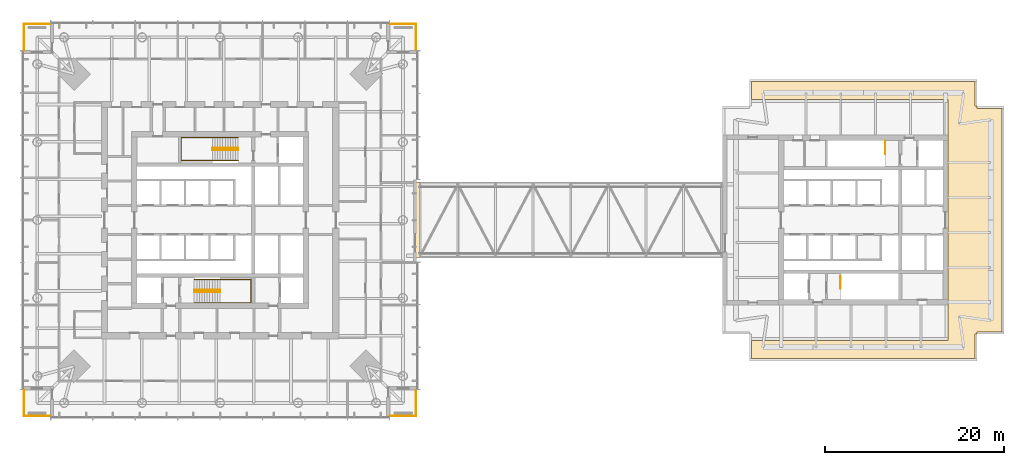
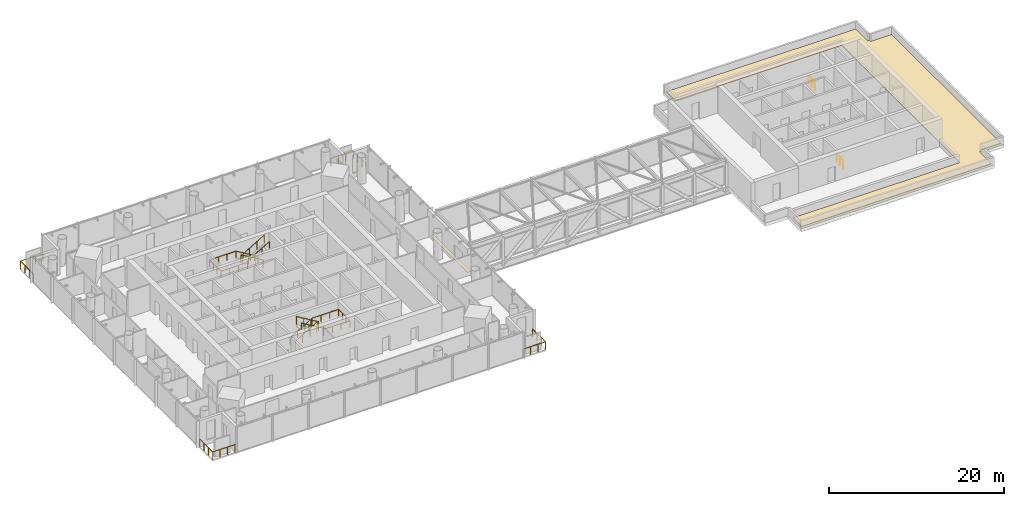
# One storey, part 19 of 19: 10 railings, 2 coverings.
"""IFC4 building model written with IfcOpenShell, lengths in metres."""

from ifc_helpers import new_model, si_unit, direction, frame, origin, origin_2d, place, context, subcontext, project, spatial, polyline, circle, outline, extrude, material, layer, layer_set, type_object, element, save


model = new_model("IFC4")

# Units and contexts
model_context = context("Model", 3, precision=1e-05, world=origin(), true_north=direction((0.0, 1.0)))
body_context = subcontext(model_context, "Body", "Model", "MODEL_VIEW")
ifc_project = project(units=[si_unit("LENGTHUNIT", "METRE"), si_unit("AREAUNIT", "SQUARE_METRE"), si_unit("VOLUMEUNIT", "CUBIC_METRE"), si_unit("PLANEANGLEUNIT", "RADIAN"), si_unit("MASSUNIT", "GRAM", prefix="KILO")], contexts=[model_context])

# Site, building, storey
site_placement = place(None, origin())
site = spatial("IfcSite", under=ifc_project, at=site_placement, CompositionType="ELEMENT")
building_placement = place(site_placement, origin())
building = spatial("IfcBuilding", under=site, at=building_placement, Name="Ostroluk Exchange", CompositionType="ELEMENT")
storey_placement = place(building_placement, frame((0.0, 0.0, 131.199951171875)))
storey = spatial("IfcBuildingStorey", under=building, at=storey_placement, Name="L33", CompositionType="ELEMENT", Elevation=131.199951171875)

# Covering
ifc_material_1 = material(Name="Sedum mat on substrate and drainage layer", Category="vegetation")
ifc_layer_1 = layer(ifc_material_1, 0.10009765625)
ifc_layer_set_1 = layer_set([ifc_layer_1], Name="Extensive green roof build-up 100")
covering_type_1 = type_object("IfcCoveringType", Name="Extensive green roof build-up 100", PredefinedType="ROOFING", material=ifc_layer_set_1)
covering_1_placement = place(storey_placement, origin())
element("IfcCovering", 1, at=covering_1_placement, inside=storey, type_object=covering_type_1, Name="Roof garden green roof 1", PredefinedType="ROOFING", context=body_context, shape_type="SweptSolid", body=[
    extrude(outline(polyline([(126.5, 32.5), (126.5, 59.5), (104.5, 59.5), (104.5, 61.5), (129.5, 61.5), (129.5, 58.75), (129.75, 58.75), (129.75, 58.5), (132.5, 58.5), (132.5, 33.5), (129.75, 33.5), (129.75, 33.25), (129.5, 33.25), (129.5, 30.5), (104.5, 30.5), (104.5, 32.5), (126.5, 32.5)])), origin(), (0.0, 0.0, 1.0), 0.10009765625),
])

# Railings
ifc_material_2 = material(Name="Stainless steel", Category="steel")
railing_type_1 = type_object("IfcRailingType", Name="Guard 1100 stainless steel", PredefinedType="GUARDRAIL", material=ifc_material_2)
railing_1_placement = place(storey_placement, frame((64.0, 24.050048828125, 0.0)))
element("IfcRailing", 2, at=railing_1_placement, inside=storey, type_object=railing_type_1, Name="Office tower SE balcony guard L33", PredefinedType="GUARDRAIL", context=body_context, shape_type="SweptSolid", body=[
    extrude(circle(Radius=0.02392578125, at=origin_2d()), frame((0.0, 0.0, 1.076171875), z_axis=(1.0, 0.0, 0.0), x_axis=(0.0, 1.0, 0.0)), (0.0, 0.0, 1.0), 2.949951171875),
    extrude(circle(Radius=0.02392578125, at=origin_2d()), frame((2.949951171875, 0.0, 1.076171875), z_axis=(0.0, 1.0, 0.0), x_axis=(-1.0, 0.0, 0.0)), (0.0, 0.0, 1.0), 2.949951171875),
    extrude(circle(Radius=0.02099609375, at=origin_2d()), origin(), (0.0, 0.0, 1.0), 1.052001953125),
    extrude(circle(Radius=0.02099609375, at=origin_2d()), frame((0.9833984375, 0.0, 0.0)), (0.0, 0.0, 1.0), 1.052001953125),
    extrude(circle(Radius=0.02099609375, at=origin_2d()), frame((1.966552734375, 0.0, 0.0)), (0.0, 0.0, 1.0), 1.052001953125),
    extrude(circle(Radius=0.02099609375, at=origin_2d()), frame((2.949951171875, 0.0, 0.0)), (0.0, 0.0, 1.0), 1.052001953125),
    extrude(circle(Radius=0.02099609375, at=origin_2d()), frame((2.949951171875, 0.9833984375, 0.0)), (0.0, 0.0, 1.0), 1.052001953125),
    extrude(circle(Radius=0.02099609375, at=origin_2d()), frame((2.949951171875, 1.966552734375, 0.0)), (0.0, 0.0, 1.0), 1.052001953125),
    extrude(circle(Radius=0.02099609375, at=origin_2d()), frame((2.949951171875, 2.949951171875, 0.0)), (0.0, 0.0, 1.0), 1.052001953125),
])
railing_2_placement = place(storey_placement, frame((64.0, 67.949951171875, 0.0)))
element("IfcRailing", 3, at=railing_2_placement, inside=storey, type_object=railing_type_1, Name="Office tower NE balcony guard L33", PredefinedType="GUARDRAIL", context=body_context, shape_type="SweptSolid", body=[
    extrude(circle(Radius=0.02392578125, at=origin_2d()), frame((0.0, 0.0, 1.076171875), z_axis=(1.0, 0.0, 0.0), x_axis=(0.0, 1.0, 0.0)), (0.0, 0.0, 1.0), 2.949951171875),
    extrude(circle(Radius=0.02392578125, at=origin_2d()), frame((2.949951171875, 0.0, 1.076171875), z_axis=(0.0, -1.0, 0.0), x_axis=(1.0, 0.0, 0.0)), (0.0, 0.0, 1.0), 2.949951171875),
    extrude(circle(Radius=0.02099609375, at=origin_2d()), origin(), (0.0, 0.0, 1.0), 1.052001953125),
    extrude(circle(Radius=0.02099609375, at=origin_2d()), frame((0.9833984375, 0.0, 0.0)), (0.0, 0.0, 1.0), 1.052001953125),
    extrude(circle(Radius=0.02099609375, at=origin_2d()), frame((1.966552734375, 0.0, 0.0)), (0.0, 0.0, 1.0), 1.052001953125),
    extrude(circle(Radius=0.02099609375, at=origin_2d()), frame((2.949951171875, 0.0, 0.0)), (0.0, 0.0, 1.0), 1.052001953125),
    extrude(circle(Radius=0.02099609375, at=origin_2d()), frame((2.949951171875, -0.9833984375, 0.0)), (0.0, 0.0, 1.0), 1.052001953125),
    extrude(circle(Radius=0.02099609375, at=origin_2d()), frame((2.949951171875, -1.966552734375, 0.0)), (0.0, 0.0, 1.0), 1.052001953125),
    extrude(circle(Radius=0.02099609375, at=origin_2d()), frame((2.949951171875, -2.949951171875, 0.0)), (0.0, 0.0, 1.0), 1.052001953125),
])
railing_3_placement = place(storey_placement, frame((26.0, 67.949951171875, 0.0)))
element("IfcRailing", 4, at=railing_3_placement, inside=storey, type_object=railing_type_1, Name="Office tower NW balcony guard L33", PredefinedType="GUARDRAIL", context=body_context, shape_type="SweptSolid", body=[
    extrude(circle(Radius=0.02392578125, at=origin_2d()), frame((0.0, 0.0, 1.076171875), z_axis=(-1.0, 0.0, 0.0), x_axis=(0.0, -1.0, 0.0)), (0.0, 0.0, 1.0), 2.949951171875),
    extrude(circle(Radius=0.02392578125, at=origin_2d()), frame((-2.949951171875, 0.0, 1.076171875), z_axis=(0.0, -1.0, 0.0), x_axis=(1.0, 0.0, 0.0)), (0.0, 0.0, 1.0), 2.949951171875),
    extrude(circle(Radius=0.02099609375, at=origin_2d()), origin(), (0.0, 0.0, 1.0), 1.052001953125),
    extrude(circle(Radius=0.02099609375, at=origin_2d()), frame((-0.9833984375, 0.0, 0.0)), (0.0, 0.0, 1.0), 1.052001953125),
    extrude(circle(Radius=0.02099609375, at=origin_2d()), frame((-1.966552734375, 0.0, 0.0)), (0.0, 0.0, 1.0), 1.052001953125),
    extrude(circle(Radius=0.02099609375, at=origin_2d()), frame((-2.949951171875, 0.0, 0.0)), (0.0, 0.0, 1.0), 1.052001953125),
    extrude(circle(Radius=0.02099609375, at=origin_2d()), frame((-2.949951171875, -0.9833984375, 0.0)), (0.0, 0.0, 1.0), 1.052001953125),
    extrude(circle(Radius=0.02099609375, at=origin_2d()), frame((-2.949951171875, -1.966552734375, 0.0)), (0.0, 0.0, 1.0), 1.052001953125),
    extrude(circle(Radius=0.02099609375, at=origin_2d()), frame((-2.949951171875, -2.949951171875, 0.0)), (0.0, 0.0, 1.0), 1.052001953125),
])
railing_4_placement = place(storey_placement, frame((26.0, 24.050048828125, 0.0)))
element("IfcRailing", 5, at=railing_4_placement, inside=storey, type_object=railing_type_1, Name="Office tower SW balcony guard L33", PredefinedType="GUARDRAIL", context=body_context, shape_type="SweptSolid", body=[
    extrude(circle(Radius=0.02392578125, at=origin_2d()), frame((0.0, 0.0, 1.076171875), z_axis=(-1.0, 0.0, 0.0), x_axis=(0.0, -1.0, 0.0)), (0.0, 0.0, 1.0), 2.949951171875),
    extrude(circle(Radius=0.02392578125, at=origin_2d()), frame((-2.949951171875, 0.0, 1.076171875), z_axis=(0.0, 1.0, 0.0), x_axis=(-1.0, 0.0, 0.0)), (0.0, 0.0, 1.0), 2.949951171875),
    extrude(circle(Radius=0.02099609375, at=origin_2d()), origin(), (0.0, 0.0, 1.0), 1.052001953125),
    extrude(circle(Radius=0.02099609375, at=origin_2d()), frame((-0.9833984375, 0.0, 0.0)), (0.0, 0.0, 1.0), 1.052001953125),
    extrude(circle(Radius=0.02099609375, at=origin_2d()), frame((-1.966552734375, 0.0, 0.0)), (0.0, 0.0, 1.0), 1.052001953125),
    extrude(circle(Radius=0.02099609375, at=origin_2d()), frame((-2.949951171875, 0.0, 0.0)), (0.0, 0.0, 1.0), 1.052001953125),
    extrude(circle(Radius=0.02099609375, at=origin_2d()), frame((-2.949951171875, 0.9833984375, 0.0)), (0.0, 0.0, 1.0), 1.052001953125),
    extrude(circle(Radius=0.02099609375, at=origin_2d()), frame((-2.949951171875, 1.966552734375, 0.0)), (0.0, 0.0, 1.0), 1.052001953125),
    extrude(circle(Radius=0.02099609375, at=origin_2d()), frame((-2.949951171875, 2.949951171875, 0.0)), (0.0, 0.0, 1.0), 1.052001953125),
])

# Covering
ifc_material_3 = material(Name="Stainless steel", Category="steel")
ifc_layer_2 = layer(ifc_material_3, 0.011962890625)
ifc_layer_set_2 = layer_set([ifc_layer_2], Name="Movement joint cover plate 250")
covering_type_2 = type_object("IfcCoveringType", Name="Movement joint cover plate 250", PredefinedType="FLOORING", material=ifc_layer_set_2)
covering_2_placement = place(storey_placement, frame((0.0, 0.0, -0.011962890625)))
element("IfcCovering", 6, at=covering_2_placement, inside=storey, type_object=covering_type_2, Name="Sky garden bridge movement joint cover", PredefinedType="FLOORING", context=body_context, shape_type="SweptSolid", body=[
    extrude(outline(polyline([(66.89990234375, 41.75), (67.35009765625, 41.75), (67.35009765625, 50.25), (66.89990234375, 50.25), (66.89990234375, 41.75)])), origin(), (0.0, 0.0, 1.0), 0.011962890625),
])

# Railings
ifc_material_4 = material(Name="Steel S355", Category="steel")
railing_type_2 = type_object("IfcRailingType", Name="Stair guard 1100", PredefinedType="GUARDRAIL", material=ifc_material_4)
railing_5_placement = place(storey_placement, frame((42.10009765625, 38.179931640625, 0.1728515625)))
element("IfcRailing", 7, at=railing_5_placement, inside=storey, type_object=railing_type_2, Name="Stair T1-S1 guard L33", PredefinedType="GUARDRAIL", context=body_context, shape_type="SweptSolid", body=[
    extrude(circle(Radius=0.02392578125, at=origin_2d()), frame((0.0, 0.0, 1.076171875), z_axis=(0.859141464434, 0.0, 0.511738159696), x_axis=(0.0, 1.0, 0.0)), (0.0, 0.0, 1.0), 3.375244140625),
    extrude(circle(Radius=0.02392578125, at=origin_2d()), frame((2.89990234375, 0.0, 2.80322265625), z_axis=(0.0, -1.0, 0.0), x_axis=(1.0, 0.0, 0.0)), (0.0, 0.0, 1.0), 0.260009765625),
    extrude(circle(Radius=0.02392578125, at=origin_2d()), frame((2.89990234375, -0.260009765625, 2.80322265625), z_axis=(0.0, 0.0, 1.0), x_axis=(1.0, 0.0, 0.0)), (0.0, 0.0, 1.0), 0.172607421875),
    extrude(circle(Radius=0.02392578125, at=origin_2d()), frame((2.89990234375, -0.260009765625, 2.97607421875), z_axis=(-0.859141464434, 0.0, 0.511738159696), x_axis=(0.0, -1.0, 0.0)), (0.0, 0.0, 1.0), 3.375244140625),
    extrude(circle(Radius=0.02099609375, at=origin_2d()), origin(), (0.0, 0.0, 1.0), 1.052001953125),
    extrude(circle(Radius=0.02099609375, at=origin_2d()), frame((0.966552734375, 0.0, 0.57568359375)), (0.0, 0.0, 1.0), 1.052001953125),
    extrude(circle(Radius=0.02099609375, at=origin_2d()), frame((1.933349609375, 0.0, 1.151611328125)), (0.0, 0.0, 1.0), 1.052001953125),
    extrude(circle(Radius=0.02099609375, at=origin_2d()), frame((2.89990234375, 0.0, 1.727294921875)), (0.0, 0.0, 1.0), 1.052001953125),
    extrude(circle(Radius=0.02099609375, at=origin_2d()), frame((2.89990234375, -0.260009765625, 1.727294921875)), (0.0, 0.0, 1.0), 1.052001953125),
    extrude(circle(Radius=0.02099609375, at=origin_2d()), frame((2.89990234375, -0.260009765625, 1.89990234375)), (0.0, 0.0, 1.0), 1.052001953125),
    extrude(circle(Radius=0.02099609375, at=origin_2d()), frame((1.933349609375, -0.260009765625, 2.4755859375)), (0.0, 0.0, 1.0), 1.052001953125),
    extrude(circle(Radius=0.02099609375, at=origin_2d()), frame((0.966552734375, -0.260009765625, 3.051513671875)), (0.0, 0.0, 1.0), 1.052001953125),
    extrude(circle(Radius=0.02099609375, at=origin_2d()), frame((0.0, -0.260009765625, 3.627197265625)), (0.0, 0.0, 1.0), 1.052001953125),
])
railing_6_placement = place(storey_placement, frame((47.030029296875, 54.080078125, 0.1728515625)))
element("IfcRailing", 8, at=railing_6_placement, inside=storey, type_object=railing_type_2, Name="Stair T1-S2 guard L33", PredefinedType="GUARDRAIL", context=body_context, shape_type="SweptSolid", body=[
    extrude(circle(Radius=0.02392578125, at=origin_2d()), frame((0.0, 0.0, 1.076171875), z_axis=(-0.859160404282, 0.0, 0.51170636083), x_axis=(0.0, -1.0, 0.0)), (0.0, 0.0, 1.0), 3.37548828125),
    extrude(circle(Radius=0.02392578125, at=origin_2d()), frame((-2.900146484375, 0.0, 2.80322265625), z_axis=(0.0, -1.0, 0.0), x_axis=(1.0, 0.0, 0.0)), (0.0, 0.0, 1.0), 0.260009765625),
    extrude(circle(Radius=0.02392578125, at=origin_2d()), frame((-2.900146484375, -0.260009765625, 2.80322265625), z_axis=(0.0, 0.0, 1.0), x_axis=(1.0, 0.0, 0.0)), (0.0, 0.0, 1.0), 0.172607421875),
    extrude(circle(Radius=0.02392578125, at=origin_2d()), frame((-2.900146484375, -0.260009765625, 2.97607421875), z_axis=(0.859160404282, 0.0, 0.51170636083), x_axis=(0.0, 1.0, 0.0)), (0.0, 0.0, 1.0), 3.37548828125),
    extrude(circle(Radius=0.02099609375, at=origin_2d()), origin(), (0.0, 0.0, 1.0), 1.052001953125),
    extrude(circle(Radius=0.02099609375, at=origin_2d()), frame((-0.966796875, 0.0, 0.57568359375)), (0.0, 0.0, 1.0), 1.052001953125),
    extrude(circle(Radius=0.02099609375, at=origin_2d()), frame((-1.933349609375, 0.0, 1.151611328125)), (0.0, 0.0, 1.0), 1.052001953125),
    extrude(circle(Radius=0.02099609375, at=origin_2d()), frame((-2.900146484375, 0.0, 1.727294921875)), (0.0, 0.0, 1.0), 1.052001953125),
    extrude(circle(Radius=0.02099609375, at=origin_2d()), frame((-2.900146484375, -0.260009765625, 1.727294921875)), (0.0, 0.0, 1.0), 1.052001953125),
    extrude(circle(Radius=0.02099609375, at=origin_2d()), frame((-2.900146484375, -0.260009765625, 1.89990234375)), (0.0, 0.0, 1.0), 1.052001953125),
    extrude(circle(Radius=0.02099609375, at=origin_2d()), frame((-1.933349609375, -0.260009765625, 2.4755859375)), (0.0, 0.0, 1.0), 1.052001953125),
    extrude(circle(Radius=0.02099609375, at=origin_2d()), frame((-0.966796875, -0.260009765625, 3.051513671875)), (0.0, 0.0, 1.0), 1.052001953125),
    extrude(circle(Radius=0.02099609375, at=origin_2d()), frame((0.0, -0.260009765625, 3.627197265625)), (0.0, 0.0, 1.0), 1.052001953125),
])
railing_7_placement = place(storey_placement, frame((114.469970703125, 39.75, 0.0)))
element("IfcRailing", 9, at=railing_7_placement, inside=storey, type_object=railing_type_2, Name="Stair T2-S1 well guard L33", PredefinedType="GUARDRAIL", context=body_context, shape_type="SweptSolid", body=[
    extrude(circle(Radius=0.02392578125, at=origin_2d()), frame((0.0, 0.0, 1.076171875), z_axis=(0.0, -1.0, 0.0), x_axis=(1.0, 0.0, 0.0)), (0.0, 0.0, 1.0), 1.429931640625),
    extrude(circle(Radius=0.02099609375, at=origin_2d()), origin(), (0.0, 0.0, 1.0), 1.052001953125),
    extrude(circle(Radius=0.02099609375, at=origin_2d()), frame((0.0, -0.71484375, 0.0)), (0.0, 0.0, 1.0), 1.052001953125),
    extrude(circle(Radius=0.02099609375, at=origin_2d()), frame((0.0, -1.429931640625, 0.0)), (0.0, 0.0, 1.0), 1.052001953125),
])
railing_8_placement = place(storey_placement, frame((119.4599609375, 54.85009765625, 0.0)))
element("IfcRailing", 10, at=railing_8_placement, inside=storey, type_object=railing_type_2, Name="Stair T2-S2 well guard L33", PredefinedType="GUARDRAIL", context=body_context, shape_type="SweptSolid", body=[
    extrude(circle(Radius=0.02392578125, at=origin_2d()), frame((0.0, 0.0, 1.076171875), z_axis=(0.0, -1.0, 0.0), x_axis=(1.0, 0.0, 0.0)), (0.0, 0.0, 1.0), 1.43017578125),
    extrude(circle(Radius=0.02099609375, at=origin_2d()), origin(), (0.0, 0.0, 1.0), 1.052001953125),
    extrude(circle(Radius=0.02099609375, at=origin_2d()), frame((0.0, -0.715087890625, 0.0)), (0.0, 0.0, 1.0), 1.052001953125),
    extrude(circle(Radius=0.02099609375, at=origin_2d()), frame((0.0, -1.43017578125, 0.0)), (0.0, 0.0, 1.0), 1.052001953125),
])
ifc_material_5 = material(Name="Stainless steel", Category="steel")
railing_type_3 = type_object("IfcRailingType", Name="Stair handrail 900", PredefinedType="HANDRAIL", material=ifc_material_5)
railing_9_placement = place(storey_placement, frame((42.10009765625, 39.35009765625, 0.1728515625)))
element("IfcRailing", 11, at=railing_9_placement, inside=storey, type_object=railing_type_3, Name="Stair T1-S1 handrail L33", PredefinedType="HANDRAIL", context=body_context, shape_type="SweptSolid", body=[
    extrude(circle(Radius=0.02392578125, at=origin_2d()), frame((0.0, 0.0, 0.8759765625), z_axis=(0.859141464434, 0.0, 0.511738159696), x_axis=(0.0, 1.0, 0.0)), (0.0, 0.0, 1.0), 3.375244140625),
    extrude(circle(Radius=0.02392578125, at=origin_2d()), frame((2.89990234375, 0.0, 2.60302734375), z_axis=(1.0, 0.0, 0.0), x_axis=(0.0, 1.0, 0.0)), (0.0, 0.0, 1.0), 3.47998046875),
    extrude(circle(Radius=0.02392578125, at=origin_2d()), frame((6.3798828125, 0.0, 2.60302734375), z_axis=(0.0, -1.0, 0.0), x_axis=(1.0, 0.0, 0.0)), (0.0, 0.0, 1.0), 2.60009765625),
    extrude(circle(Radius=0.02392578125, at=origin_2d()), frame((6.3798828125, -2.60009765625, 2.60302734375), z_axis=(-1.0, 0.0, 0.0), x_axis=(0.0, -1.0, 0.0)), (0.0, 0.0, 1.0), 3.47998046875),
    extrude(circle(Radius=0.02392578125, at=origin_2d()), frame((2.89990234375, -2.60009765625, 2.60302734375), z_axis=(0.0, 0.0, 1.0), x_axis=(1.0, 0.0, 0.0)), (0.0, 0.0, 1.0), 0.172607421875),
    extrude(circle(Radius=0.02392578125, at=origin_2d()), frame((2.89990234375, -2.60009765625, 2.77587890625), z_axis=(-0.859141464434, 0.0, 0.511738159696), x_axis=(0.0, -1.0, 0.0)), (0.0, 0.0, 1.0), 3.375244140625),
    extrude(circle(Radius=0.02099609375, at=origin_2d()), origin(), (0.0, 0.0, 1.0), 0.851806640625),
    extrude(circle(Radius=0.02099609375, at=origin_2d()), frame((0.966552734375, 0.0, 0.57568359375)), (0.0, 0.0, 1.0), 0.851806640625),
    extrude(circle(Radius=0.02099609375, at=origin_2d()), frame((1.933349609375, 0.0, 1.151611328125)), (0.0, 0.0, 1.0), 0.851806640625),
    extrude(circle(Radius=0.02099609375, at=origin_2d()), frame((2.89990234375, 0.0, 1.727294921875)), (0.0, 0.0, 1.0), 0.851806640625),
    extrude(circle(Radius=0.02099609375, at=origin_2d()), frame((4.059814453125, 0.0, 1.727294921875)), (0.0, 0.0, 1.0), 0.851806640625),
    extrude(circle(Radius=0.02099609375, at=origin_2d()), frame((5.219970703125, 0.0, 1.727294921875)), (0.0, 0.0, 1.0), 0.851806640625),
    extrude(circle(Radius=0.02099609375, at=origin_2d()), frame((6.3798828125, 0.0, 1.727294921875)), (0.0, 0.0, 1.0), 0.851806640625),
    extrude(circle(Radius=0.02099609375, at=origin_2d()), frame((6.3798828125, -0.86669921875, 1.727294921875)), (0.0, 0.0, 1.0), 0.851806640625),
    extrude(circle(Radius=0.02099609375, at=origin_2d()), frame((6.3798828125, -1.7333984375, 1.727294921875)), (0.0, 0.0, 1.0), 0.851806640625),
    extrude(circle(Radius=0.02099609375, at=origin_2d()), frame((6.3798828125, -2.60009765625, 1.727294921875)), (0.0, 0.0, 1.0), 0.851806640625),
    extrude(circle(Radius=0.02099609375, at=origin_2d()), frame((5.219970703125, -2.60009765625, 1.727294921875)), (0.0, 0.0, 1.0), 0.851806640625),
    extrude(circle(Radius=0.02099609375, at=origin_2d()), frame((4.059814453125, -2.60009765625, 1.727294921875)), (0.0, 0.0, 1.0), 0.851806640625),
    extrude(circle(Radius=0.02099609375, at=origin_2d()), frame((2.89990234375, -2.60009765625, 1.727294921875)), (0.0, 0.0, 1.0), 0.851806640625),
    extrude(circle(Radius=0.02099609375, at=origin_2d()), frame((2.89990234375, -2.60009765625, 1.89990234375)), (0.0, 0.0, 1.0), 0.851806640625),
    extrude(circle(Radius=0.02099609375, at=origin_2d()), frame((1.933349609375, -2.60009765625, 2.4755859375)), (0.0, 0.0, 1.0), 0.851806640625),
    extrude(circle(Radius=0.02099609375, at=origin_2d()), frame((0.966552734375, -2.60009765625, 3.051513671875)), (0.0, 0.0, 1.0), 0.851806640625),
    extrude(circle(Radius=0.02099609375, at=origin_2d()), frame((0.0, -2.60009765625, 3.627197265625)), (0.0, 0.0, 1.0), 0.851806640625),
])
railing_10_placement = place(storey_placement, frame((47.030029296875, 55.25, 0.1728515625)))
element("IfcRailing", 12, at=railing_10_placement, inside=storey, type_object=railing_type_3, Name="Stair T1-S2 handrail L33", PredefinedType="HANDRAIL", context=body_context, shape_type="SweptSolid", body=[
    extrude(circle(Radius=0.02392578125, at=origin_2d()), frame((0.0, 0.0, 0.8759765625), z_axis=(-0.859160404282, 0.0, 0.51170636083), x_axis=(0.0, -1.0, 0.0)), (0.0, 0.0, 1.0), 3.37548828125),
    extrude(circle(Radius=0.02392578125, at=origin_2d()), frame((-2.900146484375, 0.0, 2.60302734375), z_axis=(-1.0, 0.0, 0.0), x_axis=(0.0, -1.0, 0.0)), (0.0, 0.0, 1.0), 3.47998046875),
    extrude(circle(Radius=0.02392578125, at=origin_2d()), frame((-6.380126953125, 0.0, 2.60302734375), z_axis=(0.0, -1.0, 0.0), x_axis=(1.0, 0.0, 0.0)), (0.0, 0.0, 1.0), 2.60009765625),
    extrude(circle(Radius=0.02392578125, at=origin_2d()), frame((-6.380126953125, -2.60009765625, 2.60302734375), z_axis=(1.0, 0.0, 0.0), x_axis=(0.0, 1.0, 0.0)), (0.0, 0.0, 1.0), 3.47998046875),
    extrude(circle(Radius=0.02392578125, at=origin_2d()), frame((-2.900146484375, -2.60009765625, 2.60302734375), z_axis=(0.0, 0.0, 1.0), x_axis=(1.0, 0.0, 0.0)), (0.0, 0.0, 1.0), 0.172607421875),
    extrude(circle(Radius=0.02392578125, at=origin_2d()), frame((-2.900146484375, -2.60009765625, 2.77587890625), z_axis=(0.859160404282, 0.0, 0.51170636083), x_axis=(0.0, 1.0, 0.0)), (0.0, 0.0, 1.0), 3.37548828125),
    extrude(circle(Radius=0.02099609375, at=origin_2d()), origin(), (0.0, 0.0, 1.0), 0.851806640625),
    extrude(circle(Radius=0.02099609375, at=origin_2d()), frame((-0.966796875, 0.0, 0.57568359375)), (0.0, 0.0, 1.0), 0.851806640625),
    extrude(circle(Radius=0.02099609375, at=origin_2d()), frame((-1.933349609375, 0.0, 1.151611328125)), (0.0, 0.0, 1.0), 0.851806640625),
    extrude(circle(Radius=0.02099609375, at=origin_2d()), frame((-2.900146484375, 0.0, 1.727294921875)), (0.0, 0.0, 1.0), 0.851806640625),
    extrude(circle(Radius=0.02099609375, at=origin_2d()), frame((-4.06005859375, 0.0, 1.727294921875)), (0.0, 0.0, 1.0), 0.851806640625),
    extrude(circle(Radius=0.02099609375, at=origin_2d()), frame((-5.22021484375, 0.0, 1.727294921875)), (0.0, 0.0, 1.0), 0.851806640625),
    extrude(circle(Radius=0.02099609375, at=origin_2d()), frame((-6.380126953125, 0.0, 1.727294921875)), (0.0, 0.0, 1.0), 0.851806640625),
    extrude(circle(Radius=0.02099609375, at=origin_2d()), frame((-6.380126953125, -0.86669921875, 1.727294921875)), (0.0, 0.0, 1.0), 0.851806640625),
    extrude(circle(Radius=0.02099609375, at=origin_2d()), frame((-6.380126953125, -1.7333984375, 1.727294921875)), (0.0, 0.0, 1.0), 0.851806640625),
    extrude(circle(Radius=0.02099609375, at=origin_2d()), frame((-6.380126953125, -2.60009765625, 1.727294921875)), (0.0, 0.0, 1.0), 0.851806640625),
    extrude(circle(Radius=0.02099609375, at=origin_2d()), frame((-5.22021484375, -2.60009765625, 1.727294921875)), (0.0, 0.0, 1.0), 0.851806640625),
    extrude(circle(Radius=0.02099609375, at=origin_2d()), frame((-4.06005859375, -2.60009765625, 1.727294921875)), (0.0, 0.0, 1.0), 0.851806640625),
    extrude(circle(Radius=0.02099609375, at=origin_2d()), frame((-2.900146484375, -2.60009765625, 1.727294921875)), (0.0, 0.0, 1.0), 0.851806640625),
    extrude(circle(Radius=0.02099609375, at=origin_2d()), frame((-2.900146484375, -2.60009765625, 1.89990234375)), (0.0, 0.0, 1.0), 0.851806640625),
    extrude(circle(Radius=0.02099609375, at=origin_2d()), frame((-1.933349609375, -2.60009765625, 2.4755859375)), (0.0, 0.0, 1.0), 0.851806640625),
    extrude(circle(Radius=0.02099609375, at=origin_2d()), frame((-0.966796875, -2.60009765625, 3.051513671875)), (0.0, 0.0, 1.0), 0.851806640625),
    extrude(circle(Radius=0.02099609375, at=origin_2d()), frame((0.0, -2.60009765625, 3.627197265625)), (0.0, 0.0, 1.0), 0.851806640625),
])

save(model, "model.ifc")
